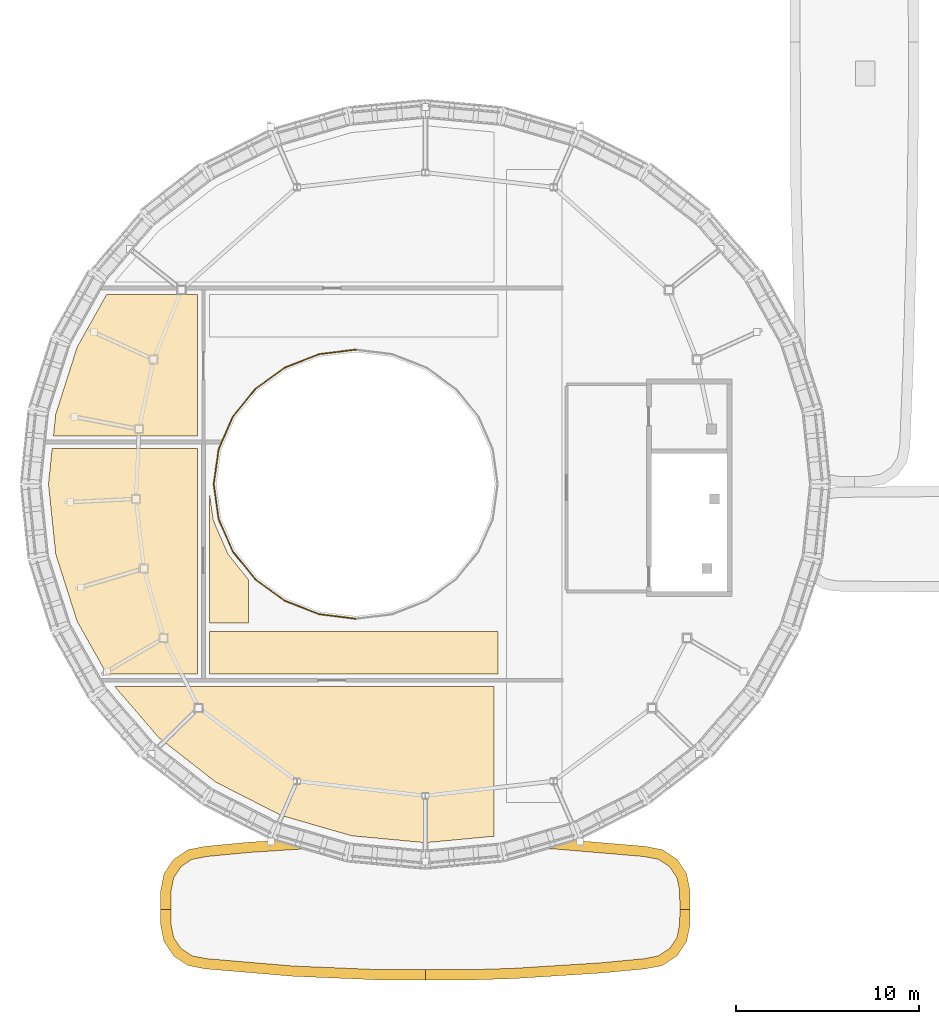
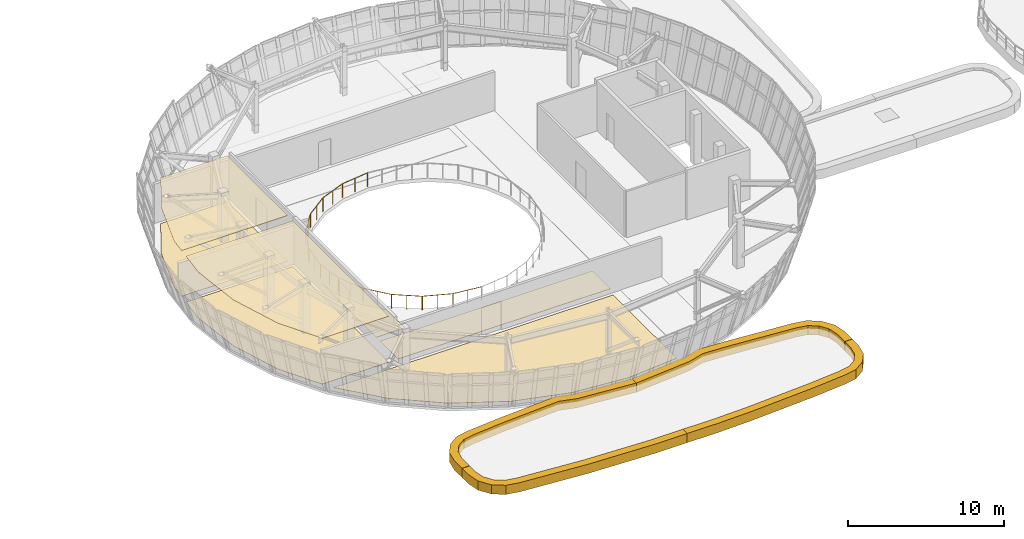
# One storey, part 96 of 111: 11 coverings, 2 railings.
"""IFC4 building model written with IfcOpenShell, lengths in metres."""

import ifcopenshell
import ifcopenshell.guid

model = None  # the IFC model being written
_history = None  # IfcOwnerHistory: only IFC2X3 demands one
_inside = {}  # id of a spatial element -> (the spatial element, [elements in it])
_under = {}  # id of a project, library or spatial element -> (it, [spatial elements below it])
_declared = {}  # id of a project -> (the project, [libraries it declares])
_typed = {}  # id of a type object -> (the type object, [elements of that type])
_made_of = {}  # id of a material, layer set ... -> (it, [elements and type objects made of it])


def new_model(schema):
    """Start an empty IFC model of exactly this schema.

    Asked for "IFC4X3", IfcOpenShell would pick the latest addendum, in which some entities
    have other attributes; the version numbers below select the first issue.
    IFC2X3 requires an IfcOwnerHistory on every rooted entity: one is made here for all.
    """
    global model, _history
    if schema == "IFC4X3":
        model = ifcopenshell.file(schema_version=(4, 3, 0, 0))
    else:
        model = ifcopenshell.file(schema=schema)
    _inside.clear()
    _under.clear()
    _declared.clear()
    _typed.clear()
    _made_of.clear()
    _history = None
    if model.schema == "IFC2X3":
        org = make("IfcOrganization", Name="unknown")
        user = make(
            "IfcPersonAndOrganization",
            ThePerson=make("IfcPerson", FamilyName="unknown"),
            TheOrganization=org,
        )
        app = make(
            "IfcApplication",
            ApplicationDeveloper=org,
            Version="unknown",
            ApplicationFullName="unknown",
            ApplicationIdentifier="unknown",
        )
        _history = make(
            "IfcOwnerHistory",
            OwningUser=user,
            OwningApplication=app,
            ChangeAction="ADDED",
            CreationDate=0,
        )
    return model


def make(cls, **values):
    """One entity of the class cls with the attributes given. An attribute that is None is left unset."""
    return model.create_entity(
        cls, **{name: value for name, value in values.items() if value is not None}
    )


def rooted(cls, **values):
    """An entity with a GlobalId (a new one), such as an element, a storey or a relation."""
    return make(cls, GlobalId=ifcopenshell.guid.new(), OwnerHistory=_history, **values)


def si_unit(unit_type, name, prefix=None):
    """IfcSIUnit, for example si_unit("LENGTHUNIT", "METRE", prefix="MILLI")."""
    return make("IfcSIUnit", UnitType=unit_type, Prefix=prefix, Name=name)


def assignment(units):
    """IfcUnitAssignment: the units of a project."""
    return None if units is None else make("IfcUnitAssignment", Units=units)


def point(xyz):
    """IfcCartesianPoint."""
    return None if xyz is None else make("IfcCartesianPoint", Coordinates=xyz)


def direction(xyz):
    """IfcDirection."""
    return None if xyz is None else make("IfcDirection", DirectionRatios=xyz)


def frame(location, z_axis=None, x_axis=None):
    """IfcAxis2Placement3D, a coordinate frame: its origin and axes. An axis left out is left unset."""
    return make(
        "IfcAxis2Placement3D",
        Location=point(location),
        Axis=direction(z_axis),
        RefDirection=direction(x_axis),
    )


def frame_2d(location, x_axis=None):
    """IfcAxis2Placement2D, a coordinate frame in the plane: its origin and x axis."""
    return make(
        "IfcAxis2Placement2D", Location=point(location), RefDirection=direction(x_axis)
    )


def origin():
    """The frame at (0, 0, 0) with its axes left unset."""
    return frame((0.0, 0.0, 0.0))


def origin_2d():
    """The frame at (0, 0) in the plane with its x axis left unset."""
    return frame_2d((0.0, 0.0))


def place(relative_to, where):
    """IfcLocalPlacement: puts the frame where relative to a parent placement (None: the world)."""
    return make(
        "IfcLocalPlacement", PlacementRelTo=relative_to, RelativePlacement=where
    )


def context(
    kind, dimensions, precision=None, world=None, true_north=None, identifier=None
):
    """IfcGeometricRepresentationContext, for example the 3D "Model" context."""
    return make(
        "IfcGeometricRepresentationContext",
        ContextIdentifier=identifier,
        ContextType=kind,
        CoordinateSpaceDimension=dimensions,
        Precision=precision,
        WorldCoordinateSystem=world,
        TrueNorth=true_north,
    )


def subcontext(parent, identifier, kind, view, scale=None):
    """IfcGeometricRepresentationSubContext, for example "Body" below "Model"."""
    return make(
        "IfcGeometricRepresentationSubContext",
        ContextIdentifier=identifier,
        ContextType=kind,
        ParentContext=parent,
        TargetScale=scale,
        TargetView=view,
    )


def project(units=None, contexts=None):
    """IfcProject with its units and contexts."""
    return rooted(
        "IfcProject",
        Name="project",
        RepresentationContexts=contexts,
        UnitsInContext=assignment(units),
    )


def spatial(cls, under=None, at=None, **own):
    """A site, building, storey or space (cls), placed at a placement, below another one or the project."""
    s = rooted(cls, ObjectPlacement=at, **own)
    if under is not None:
        _under.setdefault(under.id(), (under, []))[1].append(s)
    return s


def polyline(points):
    """IfcPolyline through the points."""
    return make("IfcPolyline", Points=[point(p) for p in points])


def profile(cls, at=None, kind="AREA", **sizes):
    """A parametric profile (cls). Its sizes go by their IFC names, for example OverallWidth=200.0."""
    return make(cls, ProfileType=kind, Position=at, **sizes)


def circle(**sizes):
    """IfcCircleProfileDef."""
    return profile("IfcCircleProfileDef", **sizes)


def outline(outer, holes=None, kind="AREA"):
    """IfcArbitraryClosedProfileDef: a profile drawn as a closed curve; with holes, ...WithVoids."""
    if holes is None:
        return make("IfcArbitraryClosedProfileDef", ProfileType=kind, OuterCurve=outer)
    return make(
        "IfcArbitraryProfileDefWithVoids",
        ProfileType=kind,
        OuterCurve=outer,
        InnerCurves=holes,
    )


def extrude(swept, where, along, depth):
    """IfcExtrudedAreaSolid: the profile swept, set in the frame where, extruded along a direction by depth."""
    return make(
        "IfcExtrudedAreaSolid",
        SweptArea=swept,
        Position=where,
        ExtrudedDirection=direction(along),
        Depth=depth,
    )


def shape(context_of_items, identifier, shape_type, items):
    """IfcShapeRepresentation: the items that make up one representation, for example the "Body"."""
    return make(
        "IfcShapeRepresentation",
        ContextOfItems=context_of_items,
        RepresentationIdentifier=identifier,
        RepresentationType=shape_type,
        Items=items,
    )


def material(Name=None, Category=None):
    """IfcMaterial."""
    return make("IfcMaterial", Name=Name, Category=Category)


def layer(
    of_material, thickness, ventilated=None, Name=None, Category=None, Priority=None
):
    """IfcMaterialLayer: one layer of a wall or slab, of a material (None: an air gap)."""
    return make(
        "IfcMaterialLayer",
        Material=of_material,
        LayerThickness=thickness,
        IsVentilated=ventilated,
        Name=Name,
        Category=Category,
        Priority=Priority,
    )


def layer_set(layers, Name=None):
    """IfcMaterialLayerSet."""
    return make("IfcMaterialLayerSet", MaterialLayers=layers, LayerSetName=Name)


def made_of(thing, what):
    """Note that an element or type object is made of a material, layer set ...; save() writes the relation."""
    if what is not None:
        _made_of.setdefault(what.id(), (what, []))[1].append(thing)
    return thing


def type_object(cls, material=None, **own):
    """A type object (cls), such as IfcWallType, which elements share."""
    return made_of(rooted(cls, **own), material)


def element(
    cls,
    number,
    at=None,
    inside=None,
    cuts=None,
    type_object=None,
    material=None,
    context=None,
    identifier="Body",
    shape_type=None,
    held_by="IfcProductDefinitionShape",
    body=None,
    shapes=None,
    **own,
):
    """One element of the class cls, such as IfcWall. Its Tag is "e" and its number.

    at: its placement. inside: the storey or other place that contains it. cuts: it is an
    opening in that element (IfcRelVoidsElement). A single representation is given by context,
    identifier, shape_type and body (its items); several are given by shapes. held_by: the class
    of the entity that holds the representations. save() writes the other relations.
    """
    e = rooted(cls, Tag="e%d" % number, ObjectPlacement=at, **own)
    if body is not None:
        shapes = [shape(context, identifier, shape_type, body)]
    if shapes is not None:
        e.Representation = make(held_by, Representations=shapes)
    if inside is not None:
        _inside.setdefault(inside.id(), (inside, []))[1].append(e)
    if cuts is not None:
        rooted(
            "IfcRelVoidsElement", RelatingBuildingElement=cuts, RelatedOpeningElement=e
        )
    if type_object is not None:
        _typed.setdefault(type_object.id(), (type_object, []))[1].append(e)
    return made_of(e, material)


def aggregate(whole, parts):
    """IfcRelAggregates: a whole, such as a stair, and the parts it consists of."""
    return rooted("IfcRelAggregates", RelatingObject=whole, RelatedObjects=parts)


def save(model, path):
    """Write the relations noted so far, then the file.

    IfcRelAggregates (storeys below a building ...), IfcRelContainedInSpatialStructure (elements
    in a storey), IfcRelDefinesByType, IfcRelAssociatesMaterial and IfcRelDeclares: one each for
    every whole, place, type object, material and project.
    """
    for whole, parts in _under.values():
        aggregate(whole, parts)
    for where, things in _inside.values():
        rooted(
            "IfcRelContainedInSpatialStructure",
            RelatedElements=things,
            RelatingStructure=where,
        )
    for kind, things in _typed.values():
        rooted("IfcRelDefinesByType", RelatedObjects=things, RelatingType=kind)
    for what, things in _made_of.values():
        rooted("IfcRelAssociatesMaterial", RelatedObjects=things, RelatingMaterial=what)
    for by, libraries in _declared.values():
        rooted("IfcRelDeclares", RelatingContext=by, RelatedDefinitions=libraries)
    model.write(path)


model = new_model("IFC4")

# Units and contexts
model_context = context("Model", 3, precision=1e-05, world=origin(), true_north=direction((0.0, 1.0)))
body_context = subcontext(model_context, "Body", "Model", "MODEL_VIEW")
ifc_project = project(units=[si_unit("LENGTHUNIT", "METRE"), si_unit("AREAUNIT", "SQUARE_METRE"), si_unit("VOLUMEUNIT", "CUBIC_METRE"), si_unit("PLANEANGLEUNIT", "RADIAN"), si_unit("MASSUNIT", "GRAM", prefix="KILO")], contexts=[model_context])

# Site, building, storey
site_placement = place(None, origin())
site = spatial("IfcSite", under=ifc_project, at=site_placement, CompositionType="ELEMENT")
building_placement = place(site_placement, origin())
building = spatial("IfcBuilding", under=site, at=building_placement, Name="Corveleigh Park Community Centre", CompositionType="ELEMENT")
storey_placement = place(building_placement, frame((0.0, 0.0, 4.800048828125)))
storey = spatial("IfcBuildingStorey", under=building, at=storey_placement, Name="L01", CompositionType="ELEMENT", Elevation=4.800048828125)

# Coverings
ifc_material_1 = material(Name="White architectural fascia cladding", Category="masonry")
ifc_layer_1 = layer(ifc_material_1, 0.074951171875, Name="White architectural fascia cladding", Category="masonry")
ifc_layer_set_1 = layer_set([ifc_layer_1], Name="White architectural fascia cladding")
covering_type_1 = type_object("IfcCoveringType", Name="COV-CLD-WHT", PredefinedType="CLADDING", material=ifc_layer_set_1)
covering_1_placement = place(storey_placement, frame((0.0, 0.0, -0.52001953125)))
element("IfcCovering", 1, at=covering_1_placement, inside=storey, type_object=covering_type_1, Name="Main Hall Entrance Colonnade Canopy White Fascia 1", PredefinedType="CLADDING", context=body_context, shape_type="SweptSolid", body=[
    extrude(outline(polyline([(43.027099609375, 7.840087890625), (43.947998046875, 7.656005859375), (44.737060546875, 7.1259765625), (45.258056640625, 6.341064453125), (45.43994140625, 5.424072265625), (45.44189453125, 4.407958984375), (44.882080078125, 4.407958984375), (44.8798828125, 5.37109375), (44.72900390625, 6.1298828125), (44.3291015625, 6.72900390625), (43.72998046875, 7.12890625), (42.950927734375, 7.283935546875), (38.18701171875, 7.68701171875), (36.3349609375, 7.784912109375), (35.14697265625, 7.450927734375), (31.001953125, 7.06689453125), (31.0029296875, 7.625), (35.091064453125, 8.008056640625), (36.27001953125, 8.34912109375), (38.22607421875, 8.24609375), (43.027099609375, 7.840087890625)])), origin(), (0.0, 0.0, 1.0), 0.719970703125),
])
covering_2_placement = place(storey_placement, frame((0.0, 0.0, -0.52001953125)))
element("IfcCovering", 2, at=covering_2_placement, inside=storey, type_object=covering_type_1, Name="Main Hall Entrance Colonnade Canopy White Fascia 2", PredefinedType="CLADDING", context=body_context, shape_type="SweptSolid", body=[
    extrude(outline(polyline([(16.56005859375, 5.424072265625), (16.743896484375, 6.347900390625), (17.26806640625, 7.132080078125), (18.052001953125, 7.656005859375), (18.968017578125, 7.839111328125), (21.37109375, 8.068115234375), (25.721923828125, 8.34912109375), (26.908935546875, 8.008056640625), (30.9990234375, 7.625), (31.0, 7.06689453125), (26.85302734375, 7.450927734375), (25.66796875, 7.783935546875), (21.4150390625, 7.510009765625), (19.052001953125, 7.284912109375), (18.27001953125, 7.12890625), (17.6708984375, 6.72900390625), (17.27099609375, 6.1298828125), (17.1201171875, 5.3720703125), (17.117919921875, 4.407958984375), (16.55810546875, 4.407958984375), (16.56005859375, 5.424072265625)])), origin(), (0.0, 0.0, 1.0), 0.719970703125),
])
covering_3_placement = place(storey_placement, frame((0.0, 0.0, -0.52001953125)))
element("IfcCovering", 3, at=covering_3_placement, inside=storey, type_object=covering_type_1, Name="Main Hall Entrance Colonnade Canopy White Fascia 3", PredefinedType="CLADDING", context=body_context, shape_type="SweptSolid", body=[
    extrude(outline(polyline([(28.591064453125, 0.551025390625), (23.77392578125, 0.75390625), (18.972900390625, 1.159912109375), (18.052001953125, 1.343994140625), (17.26806640625, 1.867919921875), (16.743896484375, 2.652099609375), (16.56103515625, 3.568115234375), (16.556884765625, 4.39404296875), (17.116943359375, 4.39404296875), (17.1201171875, 3.62890625), (17.27099609375, 2.8701171875), (17.6708984375, 2.27099609375), (18.27001953125, 1.87109375), (19.049072265625, 1.716064453125), (23.81005859375, 1.31298828125), (28.60205078125, 1.111083984375), (30.9990234375, 1.111083984375), (30.9990234375, 0.551025390625), (28.591064453125, 0.551025390625)])), origin(), (0.0, 0.0, 1.0), 0.719970703125),
])
covering_4_placement = place(storey_placement, frame((0.0, 0.0, -0.52001953125)))
element("IfcCovering", 4, at=covering_4_placement, inside=storey, type_object=covering_type_1, Name="Main Hall Entrance Colonnade Canopy White Fascia 4", PredefinedType="CLADDING", context=body_context, shape_type="SweptSolid", body=[
    extrude(outline(polyline([(45.43994140625, 3.575927734375), (45.256103515625, 2.652099609375), (44.737060546875, 1.8740234375), (43.94091796875, 1.342041015625), (43.028076171875, 1.159912109375), (40.6298828125, 0.931884765625), (35.820068359375, 0.626953125), (33.409912109375, 0.551025390625), (31.0029296875, 0.551025390625), (31.0029296875, 1.111083984375), (33.40087890625, 1.111083984375), (35.7919921875, 1.18603515625), (40.5849609375, 1.489990234375), (42.947998046875, 1.715087890625), (43.72998046875, 1.87109375), (44.3291015625, 2.27099609375), (44.72900390625, 2.8701171875), (44.8798828125, 3.6279296875), (44.882080078125, 4.39404296875), (45.44189453125, 4.39404296875), (45.43994140625, 3.575927734375)])), origin(), (0.0, 0.0, 1.0), 0.719970703125),
])
ifc_material_2 = material(Name="Perforated acoustic suspended ceiling", Category="gypsum")
ifc_layer_2 = layer(ifc_material_2, 0.0400390625, Name="Perforated acoustic suspended ceiling", Category="gypsum")
ifc_layer_set_2 = layer_set([ifc_layer_2], Name="Perforated acoustic suspended ceiling")
covering_type_2 = type_object("IfcCoveringType", Name="COV-CLG-ACU", PredefinedType="CEILING", material=ifc_layer_set_2)
covering_5_placement = place(storey_placement, frame((0.0, 0.0, 3.579833984375)))
element("IfcCovering", 5, at=covering_5_placement, inside=storey, type_object=covering_type_2, Name="Interfaith Seminar Classroom acoustic ceiling", PredefinedType="CEILING", context=body_context, shape_type="SweptSolid", body=[
    extrude(outline(polyline([(18.56005859375, 29.56005859375), (18.56005859375, 17.239990234375), (13.6220703125, 17.239990234375), (12.0048828125, 20.1220703125), (10.8369140625, 23.7880859375), (10.44189453125, 27.60009765625), (10.64501953125, 29.56005859375), (18.56005859375, 29.56005859375)])), origin(), (0.0, 0.0, 1.0), 0.0400390625),
])
covering_6_placement = place(storey_placement, frame((0.0, 0.0, 3.579833984375)))
element("IfcCovering", 6, at=covering_6_placement, inside=storey, type_object=covering_type_2, Name="Gallery Accessible Toilets L01 acoustic ceiling", PredefinedType="CEILING", context=body_context, shape_type="SweptSolid", body=[
    extrude(outline(polyline([(10.716064453125, 30.239990234375), (10.8369140625, 31.412109375), (12.0048828125, 35.077880859375), (13.6220703125, 37.9599609375), (18.56005859375, 37.9599609375), (18.56005859375, 30.239990234375), (10.716064453125, 30.239990234375)])), origin(), (0.0, 0.0, 1.0), 0.0400390625),
])
ifc_material_3 = material(Name="Acoustic linoleum flooring", Category="wood")
ifc_layer_3 = layer(ifc_material_3, 0.02490234375, Name="Acoustic linoleum flooring", Category="wood")
ifc_layer_set_3 = layer_set([ifc_layer_3], Name="Acoustic linoleum flooring")
covering_type_3 = type_object("IfcCoveringType", Name="COV-FLR-LIN", PredefinedType="FLOORING", material=ifc_layer_set_3)
covering_7_placement = place(storey_placement, origin())
element("IfcCovering", 7, at=covering_7_placement, inside=storey, type_object=covering_type_3, Name="Sanctuary South Gallery Concourse flooring", PredefinedType="FLOORING", context=body_context, shape_type="SweptSolid", body=[
    extrude(outline(polyline([(34.9599609375, 17.239990234375), (19.239990234375, 17.239990234375), (19.239990234375, 19.56005859375), (34.9599609375, 19.56005859375), (34.9599609375, 17.239990234375)])), origin(), (0.0, 0.0, 1.0), 0.02490234375),
])
covering_8_placement = place(storey_placement, origin())
element("IfcCovering", 8, at=covering_8_placement, inside=storey, type_object=covering_type_3, Name="Sanctuary West Gallery Concourse flooring", PredefinedType="FLOORING", context=body_context, shape_type="SweptSolid", body=[
    extrude(outline(polyline([(20.238037109375, 23.779052734375), (21.360107421875, 22.385009765625), (21.360107421875, 20.0400390625), (19.239990234375, 20.0400390625), (19.239990234375, 26.993896484375), (19.43798828125, 25.60888671875), (20.238037109375, 23.779052734375)])), origin(), (0.0, 0.0, 1.0), 0.02490234375),
])
covering_9_placement = place(storey_placement, origin())
element("IfcCovering", 9, at=covering_9_placement, inside=storey, type_object=covering_type_3, Name="Sanctuary South Balcony Gallery flooring", PredefinedType="FLOORING", context=body_context, shape_type="SweptSolid", body=[
    extrude(outline(polyline([(23.1259765625, 9.532958984375), (19.571044921875, 11.343994140625), (16.4560546875, 13.778076171875), (14.05908203125, 16.56005859375), (34.760009765625, 16.56005859375), (34.760009765625, 8.39404296875), (31.0, 8.0419921875), (26.985107421875, 8.41796875), (23.1259765625, 9.532958984375)])), origin(), (0.0, 0.0, 1.0), 0.02490234375),
])
covering_10_placement = place(storey_placement, origin())
element("IfcCovering", 10, at=covering_10_placement, inside=storey, type_object=covering_type_3, Name="Interfaith Seminar Classroom flooring", PredefinedType="FLOORING", context=body_context, shape_type="SweptSolid", body=[
    extrude(outline(polyline([(18.56005859375, 29.56005859375), (18.56005859375, 17.239990234375), (13.6220703125, 17.239990234375), (12.0048828125, 20.1220703125), (10.8369140625, 23.7880859375), (10.44189453125, 27.60009765625), (10.64501953125, 29.56005859375), (18.56005859375, 29.56005859375)])), origin(), (0.0, 0.0, 1.0), 0.02490234375),
])
covering_11_placement = place(storey_placement, origin())
element("IfcCovering", 11, at=covering_11_placement, inside=storey, type_object=covering_type_3, Name="Gallery Accessible Toilets L01 flooring", PredefinedType="FLOORING", context=body_context, shape_type="SweptSolid", body=[
    extrude(outline(polyline([(10.716064453125, 30.239990234375), (10.8369140625, 31.412109375), (12.0048828125, 35.077880859375), (13.6220703125, 37.9599609375), (18.56005859375, 37.9599609375), (18.56005859375, 30.239990234375), (10.716064453125, 30.239990234375)])), origin(), (0.0, 0.0, 1.0), 0.02490234375),
])

# Railings
ifc_material_4 = material(Name="Stainless steel 316 balustrade", Category="steel")
railing_type = type_object("IfcRailingType", Name="RLG-BAL-INT-1100", PredefinedType="BALUSTRADE", material=ifc_material_4)
railing_1_placement = place(storey_placement, frame((27.18310546875, 20.260986328125, 0.0)))
element("IfcRailing", 12, at=railing_1_placement, inside=storey, type_object=railing_type, Name="Sanctuary oval void balustrade 2", PredefinedType="BALUSTRADE", context=body_context, shape_type="SweptSolid", body=[
    extrude(circle(Radius=0.02392578125, at=origin_2d()), frame((0.0, 0.0, 1.076171875), z_axis=(-0.992325174775, 0.123655762129, 0.0), x_axis=(-0.123655762129, -0.992325174775, 0.0)), (0.0, 0.0, 1.0), 1.982177734375),
    extrude(circle(Radius=0.02392578125, at=origin_2d()), frame((-1.967041015625, 0.2451171875, 1.076171875), z_axis=(-0.986932880776, 0.161131898902, 0.0), x_axis=(-0.161131898902, -0.986932880776, 0.0)), (0.0, 0.0, 1.0), 0.01220703125),
    extrude(circle(Radius=0.02392578125, at=origin_2d()), frame((-1.97900390625, 0.2470703125, 1.076171875), z_axis=(-0.966234939601, 0.25766265056, 0.0), x_axis=(-0.25766265056, -0.966234939601, 0.0)), (0.0, 0.0, 1.0), 0.011474609375),
    extrude(circle(Radius=0.02392578125, at=origin_2d()), frame((-1.989990234375, 0.25, 1.076171875), z_axis=(-0.944496796706, 0.328520624941, 0.0), x_axis=(-0.328520624941, -0.944496796706, 0.0)), (0.0, 0.0, 1.0), 0.011962890625),
    extrude(circle(Radius=0.02392578125, at=origin_2d()), frame((-2.001220703125, 0.25390625, 1.076171875), z_axis=(-0.930716829695, 0.365740595125, 0.0), x_axis=(-0.365740595125, -0.930716829695, 0.0)), (0.0, 0.0, 1.0), 1.96923828125),
    extrude(circle(Radius=0.02392578125, at=origin_2d()), frame((-3.833984375, 0.97412109375, 1.076171875), z_axis=(-0.944496796706, 0.328520624941, 0.0), x_axis=(-0.328520624941, -0.944496796706, 0.0)), (0.0, 0.0, 1.0), 0.011962890625),
    extrude(circle(Radius=0.02392578125, at=origin_2d()), frame((-3.84521484375, 0.97802734375, 1.076171875), z_axis=(-0.853796175794, 0.520607424265, 0.0), x_axis=(-0.520607424265, -0.853796175794, 0.0)), (0.0, 0.0, 1.0), 0.01171875),
    extrude(circle(Radius=0.02392578125, at=origin_2d()), frame((-3.855224609375, 0.984130859375, 1.076171875), z_axis=(-0.819231920519, 0.573462344363, 0.0), x_axis=(-0.573462344363, -0.819231920519, 0.0)), (0.0, 0.0, 1.0), 0.011962890625),
    extrude(circle(Radius=0.02392578125, at=origin_2d()), frame((-3.864990234375, 0.990966796875, 1.076171875), z_axis=(-0.808942189835, 0.587888198134, 0.0), x_axis=(-0.587888198134, -0.808942189835, 0.0)), (0.0, 0.0, 1.0), 1.946044921875),
    extrude(circle(Radius=0.02392578125, at=origin_2d()), frame((-5.439208984375, 2.135009765625, 1.076171875), z_axis=(-0.816415639507, 0.577464720627, 0.0), x_axis=(-0.577464720627, -0.816415639507, 0.0)), (0.0, 0.0, 1.0), 0.01220703125),
    extrude(circle(Radius=0.02392578125, at=origin_2d()), frame((-5.44921875, 2.14208984375, 1.076171875), z_axis=(-0.697354959803, 0.716725930909, 0.0), x_axis=(-0.716725930909, -0.697354959803, 0.0)), (0.0, 0.0, 1.0), 0.0126953125),
    extrude(circle(Radius=0.02392578125, at=origin_2d()), frame((-5.4580078125, 2.151123046875, 1.076171875), z_axis=(-0.675724628517, 0.737154140201, 0.0), x_axis=(-0.737154140201, -0.675724628517, 0.0)), (0.0, 0.0, 1.0), 0.011962890625),
    extrude(circle(Radius=0.02392578125, at=origin_2d()), frame((-5.466064453125, 2.159912109375, 1.076171875), z_axis=(-0.629461685183, 0.777031522453, 0.0), x_axis=(-0.777031522453, -0.629461685183, 0.0)), (0.0, 0.0, 1.0), 1.919189453125),
    extrude(circle(Radius=0.02392578125, at=origin_2d()), frame((-6.674072265625, 3.651123046875, 1.076171875), z_axis=(-0.577464720627, 0.816415639507, 0.0), x_axis=(-0.816415639507, -0.577464720627, 0.0)), (0.0, 0.0, 1.0), 0.01220703125),
    extrude(circle(Radius=0.02392578125, at=origin_2d()), frame((-6.68115234375, 3.6611328125, 1.076171875), z_axis=(-0.528301886792, 0.849056603774, 0.0), x_axis=(-0.849056603774, -0.528301886792, 0.0)), (0.0, 0.0, 1.0), 0.012939453125),
    extrude(circle(Radius=0.02392578125, at=origin_2d()), frame((-6.68798828125, 3.672119140625, 1.076171875), z_axis=(-0.422885465331, 0.906183139995, 0.0), x_axis=(-0.906183139995, -0.422885465331, 0.0)), (0.0, 0.0, 1.0), 0.01220703125),
    extrude(circle(Radius=0.02392578125, at=origin_2d()), frame((-6.693115234375, 3.68310546875, 1.076171875), z_axis=(-0.400453925863, 0.916316895654, 0.0), x_axis=(-0.916316895654, -0.400453925863, 0.0)), (0.0, 0.0, 1.0), 1.8955078125),
    extrude(circle(Radius=0.02392578125, at=origin_2d()), frame((-7.4521484375, 5.419921875, 1.076171875), z_axis=(-0.371390676354, 0.928476690885, 0.0), x_axis=(-0.928476690885, -0.371390676354, 0.0)), (0.0, 0.0, 1.0), 0.01318359375),
    extrude(circle(Radius=0.02392578125, at=origin_2d()), frame((-7.45703125, 5.43212890625, 1.076171875), z_axis=(-0.256434699025, 0.966561557862, 0.0), x_axis=(-0.966561557862, -0.256434699025, 0.0)), (0.0, 0.0, 1.0), 0.012451171875),
    extrude(circle(Radius=0.02392578125, at=origin_2d()), frame((-7.460205078125, 5.444091796875, 1.076171875), z_axis=(-0.220825652598, 0.975313298974, 0.0), x_axis=(-0.975313298974, -0.220825652598, 0.0)), (0.0, 0.0, 1.0), 0.01318359375),
    extrude(circle(Radius=0.02392578125, at=origin_2d()), frame((-7.463134765625, 5.45703125, 1.076171875), z_axis=(-0.13771339529, 0.990472120131, 0.0), x_axis=(-0.990472120131, -0.13771339529, 0.0)), (0.0, 0.0, 1.0), 1.880859375),
    extrude(circle(Radius=0.02392578125, at=origin_2d()), frame((-7.72216796875, 7.320068359375, 1.076171875), z_axis=(-0.075257669471, 0.997164120487, 0.0), x_axis=(-0.997164120487, -0.075257669471, 0.0)), (0.0, 0.0, 1.0), 0.012939453125),
    extrude(circle(Radius=0.02392578125, at=origin_2d()), frame((-7.72314453125, 7.3330078125, 1.076171875), z_axis=(0.0, 1.0, 0.0), x_axis=(-1.0, 0.0, 0.0)), (0.0, 0.0, 1.0), 0.011962890625),
    extrude(circle(Radius=0.02392578125, at=origin_2d()), frame((-7.72314453125, 7.344970703125, 1.076171875), z_axis=(0.075257669471, 0.997164120487, 0.0), x_axis=(-0.997164120487, 0.075257669471, 0.0)), (0.0, 0.0, 1.0), 0.012939453125),
    extrude(circle(Radius=0.02099609375, at=origin_2d()), origin(), (0.0, 0.0, 1.0), 1.052001953125),
    extrude(circle(Radius=0.02099609375, at=origin_2d()), frame((-0.9833984375, 0.12255859375, 0.0)), (0.0, 0.0, 1.0), 1.052001953125),
    extrude(circle(Radius=0.02099609375, at=origin_2d()), frame((-1.967041015625, 0.2451171875, 0.0)), (0.0, 0.0, 1.0), 1.052001953125),
    extrude(circle(Radius=0.02099609375, at=origin_2d()), frame((-1.97900390625, 0.2470703125, 0.0)), (0.0, 0.0, 1.0), 1.052001953125),
    extrude(circle(Radius=0.02099609375, at=origin_2d()), frame((-1.989990234375, 0.25, 0.0)), (0.0, 0.0, 1.0), 1.052001953125),
    extrude(circle(Radius=0.02099609375, at=origin_2d()), frame((-2.001220703125, 0.25390625, 0.0)), (0.0, 0.0, 1.0), 1.052001953125),
    extrude(circle(Radius=0.02099609375, at=origin_2d()), frame((-2.91748046875, 0.614013671875, 0.0)), (0.0, 0.0, 1.0), 1.052001953125),
    extrude(circle(Radius=0.02099609375, at=origin_2d()), frame((-3.833984375, 0.97412109375, 0.0)), (0.0, 0.0, 1.0), 1.052001953125),
    extrude(circle(Radius=0.02099609375, at=origin_2d()), frame((-3.84521484375, 0.97802734375, 0.0)), (0.0, 0.0, 1.0), 1.052001953125),
    extrude(circle(Radius=0.02099609375, at=origin_2d()), frame((-3.855224609375, 0.984130859375, 0.0)), (0.0, 0.0, 1.0), 1.052001953125),
    extrude(circle(Radius=0.02099609375, at=origin_2d()), frame((-3.864990234375, 0.990966796875, 0.0)), (0.0, 0.0, 1.0), 1.052001953125),
    extrude(circle(Radius=0.02099609375, at=origin_2d()), frame((-4.652099609375, 1.56298828125, 0.0)), (0.0, 0.0, 1.0), 1.052001953125),
    extrude(circle(Radius=0.02099609375, at=origin_2d()), frame((-5.439208984375, 2.135009765625, 0.0)), (0.0, 0.0, 1.0), 1.052001953125),
    extrude(circle(Radius=0.02099609375, at=origin_2d()), frame((-5.44921875, 2.14208984375, 0.0)), (0.0, 0.0, 1.0), 1.052001953125),
    extrude(circle(Radius=0.02099609375, at=origin_2d()), frame((-5.4580078125, 2.151123046875, 0.0)), (0.0, 0.0, 1.0), 1.052001953125),
    extrude(circle(Radius=0.02099609375, at=origin_2d()), frame((-5.466064453125, 2.159912109375, 0.0)), (0.0, 0.0, 1.0), 1.052001953125),
    extrude(circle(Radius=0.02099609375, at=origin_2d()), frame((-6.070068359375, 2.905517578125, 0.0)), (0.0, 0.0, 1.0), 1.052001953125),
    extrude(circle(Radius=0.02099609375, at=origin_2d()), frame((-6.674072265625, 3.651123046875, 0.0)), (0.0, 0.0, 1.0), 1.052001953125),
    extrude(circle(Radius=0.02099609375, at=origin_2d()), frame((-6.68115234375, 3.6611328125, 0.0)), (0.0, 0.0, 1.0), 1.052001953125),
    extrude(circle(Radius=0.02099609375, at=origin_2d()), frame((-6.68798828125, 3.672119140625, 0.0)), (0.0, 0.0, 1.0), 1.052001953125),
    extrude(circle(Radius=0.02099609375, at=origin_2d()), frame((-6.693115234375, 3.68310546875, 0.0)), (0.0, 0.0, 1.0), 1.052001953125),
    extrude(circle(Radius=0.02099609375, at=origin_2d()), frame((-7.07275390625, 4.551513671875, 0.0)), (0.0, 0.0, 1.0), 1.052001953125),
    extrude(circle(Radius=0.02099609375, at=origin_2d()), frame((-7.4521484375, 5.419921875, 0.0)), (0.0, 0.0, 1.0), 1.052001953125),
    extrude(circle(Radius=0.02099609375, at=origin_2d()), frame((-7.45703125, 5.43212890625, 0.0)), (0.0, 0.0, 1.0), 1.052001953125),
    extrude(circle(Radius=0.02099609375, at=origin_2d()), frame((-7.460205078125, 5.444091796875, 0.0)), (0.0, 0.0, 1.0), 1.052001953125),
    extrude(circle(Radius=0.02099609375, at=origin_2d()), frame((-7.463134765625, 5.45703125, 0.0)), (0.0, 0.0, 1.0), 1.052001953125),
    extrude(circle(Radius=0.02099609375, at=origin_2d()), frame((-7.5927734375, 6.388671875, 0.0)), (0.0, 0.0, 1.0), 1.052001953125),
    extrude(circle(Radius=0.02099609375, at=origin_2d()), frame((-7.72216796875, 7.320068359375, 0.0)), (0.0, 0.0, 1.0), 1.052001953125),
    extrude(circle(Radius=0.02099609375, at=origin_2d()), frame((-7.72314453125, 7.3330078125, 0.0)), (0.0, 0.0, 1.0), 1.052001953125),
    extrude(circle(Radius=0.02099609375, at=origin_2d()), frame((-7.72314453125, 7.344970703125, 0.0)), (0.0, 0.0, 1.0), 1.052001953125),
    extrude(circle(Radius=0.02099609375, at=origin_2d()), frame((-7.72216796875, 7.35791015625, 0.0)), (0.0, 0.0, 1.0), 1.052001953125),
])
railing_2_placement = place(storey_placement, frame((19.4609375, 27.618896484375, 0.0)))
element("IfcRailing", 13, at=railing_2_placement, inside=storey, type_object=railing_type, Name="Sanctuary oval void balustrade 3", PredefinedType="BALUSTRADE", context=body_context, shape_type="SweptSolid", body=[
    extrude(circle(Radius=0.02392578125, at=origin_2d()), frame((0.0, 0.0, 1.076171875), z_axis=(0.13771339529, 0.990472120131, 0.0), x_axis=(-0.990472120131, 0.13771339529, 0.0)), (0.0, 0.0, 1.0), 1.880859375),
    extrude(circle(Radius=0.02392578125, at=origin_2d()), frame((0.259033203125, 1.863037109375, 1.076171875), z_axis=(0.216930457819, 0.976187060184, 0.0), x_axis=(-0.976187060184, 0.216930457819, 0.0)), (0.0, 0.0, 1.0), 0.013427734375),
    extrude(circle(Radius=0.02392578125, at=origin_2d()), frame((0.261962890625, 1.876220703125, 1.076171875), z_axis=(0.256434699025, 0.966561557862, 0.0), x_axis=(-0.966561557862, 0.256434699025, 0.0)), (0.0, 0.0, 1.0), 0.012451171875),
    extrude(circle(Radius=0.02392578125, at=origin_2d()), frame((0.26513671875, 1.88818359375, 1.076171875), z_axis=(0.377896997427, 0.925847643695, 0.0), x_axis=(-0.925847643695, 0.377896997427, 0.0)), (0.0, 0.0, 1.0), 0.012939453125),
    extrude(circle(Radius=0.02392578125, at=origin_2d()), frame((0.27001953125, 1.900146484375, 1.076171875), z_axis=(0.40040666695, 0.916337547556, 0.0), x_axis=(-0.916337547556, 0.40040666695, 0.0)), (0.0, 0.0, 1.0), 1.895751953125),
    extrude(circle(Radius=0.02392578125, at=origin_2d()), frame((1.029052734375, 3.63720703125, 1.076171875), z_axis=(0.422885465331, 0.906183139995, 0.0), x_axis=(-0.906183139995, 0.422885465331, 0.0)), (0.0, 0.0, 1.0), 0.01220703125),
    extrude(circle(Radius=0.02392578125, at=origin_2d()), frame((1.0341796875, 3.648193359375, 1.076171875), z_axis=(0.528301886792, 0.849056603774, 0.0), x_axis=(-0.849056603774, 0.528301886792, 0.0)), (0.0, 0.0, 1.0), 0.012939453125),
    extrude(circle(Radius=0.02392578125, at=origin_2d()), frame((1.041015625, 3.6591796875, 1.076171875), z_axis=(0.577464720627, 0.816415639507, 0.0), x_axis=(-0.816415639507, 0.577464720627, 0.0)), (0.0, 0.0, 1.0), 0.01220703125),
    extrude(circle(Radius=0.02392578125, at=origin_2d()), frame((1.048095703125, 3.669189453125, 1.076171875), z_axis=(0.629523911829, 0.776981109446, 0.0), x_axis=(-0.776981109446, 0.629523911829, 0.0)), (0.0, 0.0, 1.0), 1.9189453125),
    extrude(circle(Radius=0.02392578125, at=origin_2d()), frame((2.256103515625, 5.16015625, 1.076171875), z_axis=(0.665614846958, 0.746295434469, 0.0), x_axis=(-0.746295434469, 0.665614846958, 0.0)), (0.0, 0.0, 1.0), 0.01220703125),
    extrude(circle(Radius=0.02392578125, at=origin_2d()), frame((2.26416015625, 5.169189453125, 1.076171875), z_axis=(0.697354959803, 0.716725930909, 0.0), x_axis=(-0.716725930909, 0.697354959803, 0.0)), (0.0, 0.0, 1.0), 0.0126953125),
    extrude(circle(Radius=0.02392578125, at=origin_2d()), frame((2.27294921875, 5.17822265625, 1.076171875), z_axis=(0.825800981874, 0.563961646158, 0.0), x_axis=(-0.563961646158, 0.825800981874, 0.0)), (0.0, 0.0, 1.0), 0.01220703125),
    extrude(circle(Radius=0.02392578125, at=origin_2d()), frame((2.282958984375, 5.18505859375, 1.076171875), z_axis=(0.808942189835, 0.587888198134, 0.0), x_axis=(-0.587888198134, 0.808942189835, 0.0)), (0.0, 0.0, 1.0), 1.946044921875),
    extrude(circle(Radius=0.02392578125, at=origin_2d()), frame((3.857177734375, 6.3291015625, 1.076171875), z_axis=(0.809610443394, 0.586967571461, 0.0), x_axis=(-0.586967571461, 0.809610443394, 0.0)), (0.0, 0.0, 1.0), 0.011962890625),
    extrude(circle(Radius=0.02392578125, at=origin_2d()), frame((3.866943359375, 6.336181640625, 1.076171875), z_axis=(0.863014469347, 0.505179201569, 0.0), x_axis=(-0.505179201569, 0.863014469347, 0.0)), (0.0, 0.0, 1.0), 0.01171875),
    extrude(circle(Radius=0.02392578125, at=origin_2d()), frame((3.876953125, 6.342041015625, 1.076171875), z_axis=(0.937994498829, 0.346650140872, 0.0), x_axis=(-0.346650140872, 0.937994498829, 0.0)), (0.0, 0.0, 1.0), 0.011962890625),
    extrude(circle(Radius=0.02392578125, at=origin_2d()), frame((3.88818359375, 6.34619140625, 1.076171875), z_axis=(0.930759028272, 0.36563319227, 0.0), x_axis=(-0.36563319227, 0.930759028272, 0.0)), (0.0, 0.0, 1.0), 1.968994140625),
    extrude(circle(Radius=0.02392578125, at=origin_2d()), frame((5.720947265625, 7.066162109375, 1.076171875), z_axis=(0.944496796706, 0.328520624941, 0.0), x_axis=(-0.328520624941, 0.944496796706, 0.0)), (0.0, 0.0, 1.0), 0.011962890625),
    extrude(circle(Radius=0.02392578125, at=origin_2d()), frame((5.732177734375, 7.070068359375, 1.076171875), z_axis=(0.966234939601, 0.25766265056, 0.0), x_axis=(-0.25766265056, 0.966234939601, 0.0)), (0.0, 0.0, 1.0), 0.011474609375),
    extrude(circle(Radius=0.02392578125, at=origin_2d()), frame((5.7431640625, 7.072998046875, 1.076171875), z_axis=(0.983547166232, 0.180651520328, 0.0), x_axis=(-0.180651520328, 0.983547166232, 0.0)), (0.0, 0.0, 1.0), 0.01220703125),
    extrude(circle(Radius=0.02392578125, at=origin_2d()), frame((5.755126953125, 7.0751953125, 1.076171875), z_axis=(0.992340280535, 0.123534479506, 0.0), x_axis=(-0.123534479506, 0.992340280535, 0.0)), (0.0, 0.0, 1.0), 1.982177734375),
    extrude(circle(Radius=0.02392578125, at=origin_2d()), frame((7.72216796875, 7.320068359375, 1.076171875), z_axis=(0.996072640693, 0.088539790284, 0.0), x_axis=(-0.088539790284, 0.996072640693, 0.0)), (0.0, 0.0, 1.0), 0.010986328125),
    extrude(circle(Radius=0.02392578125, at=origin_2d()), frame((7.733154296875, 7.321044921875, 1.076171875), z_axis=(1.0, 0.0, 0.0), x_axis=(0.0, 1.0, 0.0)), (0.0, 0.0, 1.0), 0.011962890625),
    extrude(circle(Radius=0.02392578125, at=origin_2d()), frame((7.7451171875, 7.321044921875, 1.076171875), z_axis=(0.996072640693, -0.088539790284, 0.0), x_axis=(0.088539790284, 0.996072640693, 0.0)), (0.0, 0.0, 1.0), 0.010986328125),
    extrude(circle(Radius=0.02099609375, at=origin_2d()), origin(), (0.0, 0.0, 1.0), 1.052001953125),
    extrude(circle(Radius=0.02099609375, at=origin_2d()), frame((0.12939453125, 0.931640625, 0.0)), (0.0, 0.0, 1.0), 1.052001953125),
    extrude(circle(Radius=0.02099609375, at=origin_2d()), frame((0.259033203125, 1.863037109375, 0.0)), (0.0, 0.0, 1.0), 1.052001953125),
    extrude(circle(Radius=0.02099609375, at=origin_2d()), frame((0.261962890625, 1.876220703125, 0.0)), (0.0, 0.0, 1.0), 1.052001953125),
    extrude(circle(Radius=0.02099609375, at=origin_2d()), frame((0.26513671875, 1.88818359375, 0.0)), (0.0, 0.0, 1.0), 1.052001953125),
    extrude(circle(Radius=0.02099609375, at=origin_2d()), frame((0.27001953125, 1.900146484375, 0.0)), (0.0, 0.0, 1.0), 1.052001953125),
    extrude(circle(Radius=0.02099609375, at=origin_2d()), frame((0.6494140625, 2.7685546875, 0.0)), (0.0, 0.0, 1.0), 1.052001953125),
    extrude(circle(Radius=0.02099609375, at=origin_2d()), frame((1.029052734375, 3.63720703125, 0.0)), (0.0, 0.0, 1.0), 1.052001953125),
    extrude(circle(Radius=0.02099609375, at=origin_2d()), frame((1.0341796875, 3.648193359375, 0.0)), (0.0, 0.0, 1.0), 1.052001953125),
    extrude(circle(Radius=0.02099609375, at=origin_2d()), frame((1.041015625, 3.6591796875, 0.0)), (0.0, 0.0, 1.0), 1.052001953125),
    extrude(circle(Radius=0.02099609375, at=origin_2d()), frame((1.048095703125, 3.669189453125, 0.0)), (0.0, 0.0, 1.0), 1.052001953125),
    extrude(circle(Radius=0.02099609375, at=origin_2d()), frame((1.652099609375, 4.41455078125, 0.0)), (0.0, 0.0, 1.0), 1.052001953125),
    extrude(circle(Radius=0.02099609375, at=origin_2d()), frame((2.256103515625, 5.16015625, 0.0)), (0.0, 0.0, 1.0), 1.052001953125),
    extrude(circle(Radius=0.02099609375, at=origin_2d()), frame((2.26416015625, 5.169189453125, 0.0)), (0.0, 0.0, 1.0), 1.052001953125),
    extrude(circle(Radius=0.02099609375, at=origin_2d()), frame((2.27294921875, 5.17822265625, 0.0)), (0.0, 0.0, 1.0), 1.052001953125),
    extrude(circle(Radius=0.02099609375, at=origin_2d()), frame((2.282958984375, 5.18505859375, 0.0)), (0.0, 0.0, 1.0), 1.052001953125),
    extrude(circle(Radius=0.02099609375, at=origin_2d()), frame((3.070068359375, 5.757080078125, 0.0)), (0.0, 0.0, 1.0), 1.052001953125),
    extrude(circle(Radius=0.02099609375, at=origin_2d()), frame((3.857177734375, 6.3291015625, 0.0)), (0.0, 0.0, 1.0), 1.052001953125),
    extrude(circle(Radius=0.02099609375, at=origin_2d()), frame((3.866943359375, 6.336181640625, 0.0)), (0.0, 0.0, 1.0), 1.052001953125),
    extrude(circle(Radius=0.02099609375, at=origin_2d()), frame((3.876953125, 6.342041015625, 0.0)), (0.0, 0.0, 1.0), 1.052001953125),
    extrude(circle(Radius=0.02099609375, at=origin_2d()), frame((3.88818359375, 6.34619140625, 0.0)), (0.0, 0.0, 1.0), 1.052001953125),
    extrude(circle(Radius=0.02099609375, at=origin_2d()), frame((4.8046875, 6.7060546875, 0.0)), (0.0, 0.0, 1.0), 1.052001953125),
    extrude(circle(Radius=0.02099609375, at=origin_2d()), frame((5.720947265625, 7.066162109375, 0.0)), (0.0, 0.0, 1.0), 1.052001953125),
    extrude(circle(Radius=0.02099609375, at=origin_2d()), frame((5.732177734375, 7.070068359375, 0.0)), (0.0, 0.0, 1.0), 1.052001953125),
    extrude(circle(Radius=0.02099609375, at=origin_2d()), frame((5.7431640625, 7.072998046875, 0.0)), (0.0, 0.0, 1.0), 1.052001953125),
    extrude(circle(Radius=0.02099609375, at=origin_2d()), frame((5.755126953125, 7.0751953125, 0.0)), (0.0, 0.0, 1.0), 1.052001953125),
    extrude(circle(Radius=0.02099609375, at=origin_2d()), frame((6.73876953125, 7.19775390625, 0.0)), (0.0, 0.0, 1.0), 1.052001953125),
    extrude(circle(Radius=0.02099609375, at=origin_2d()), frame((7.72216796875, 7.320068359375, 0.0)), (0.0, 0.0, 1.0), 1.052001953125),
    extrude(circle(Radius=0.02099609375, at=origin_2d()), frame((7.733154296875, 7.321044921875, 0.0)), (0.0, 0.0, 1.0), 1.052001953125),
    extrude(circle(Radius=0.02099609375, at=origin_2d()), frame((7.7451171875, 7.321044921875, 0.0)), (0.0, 0.0, 1.0), 1.052001953125),
    extrude(circle(Radius=0.02099609375, at=origin_2d()), frame((7.756103515625, 7.320068359375, 0.0)), (0.0, 0.0, 1.0), 1.052001953125),
])

save(model, "model.ifc")
